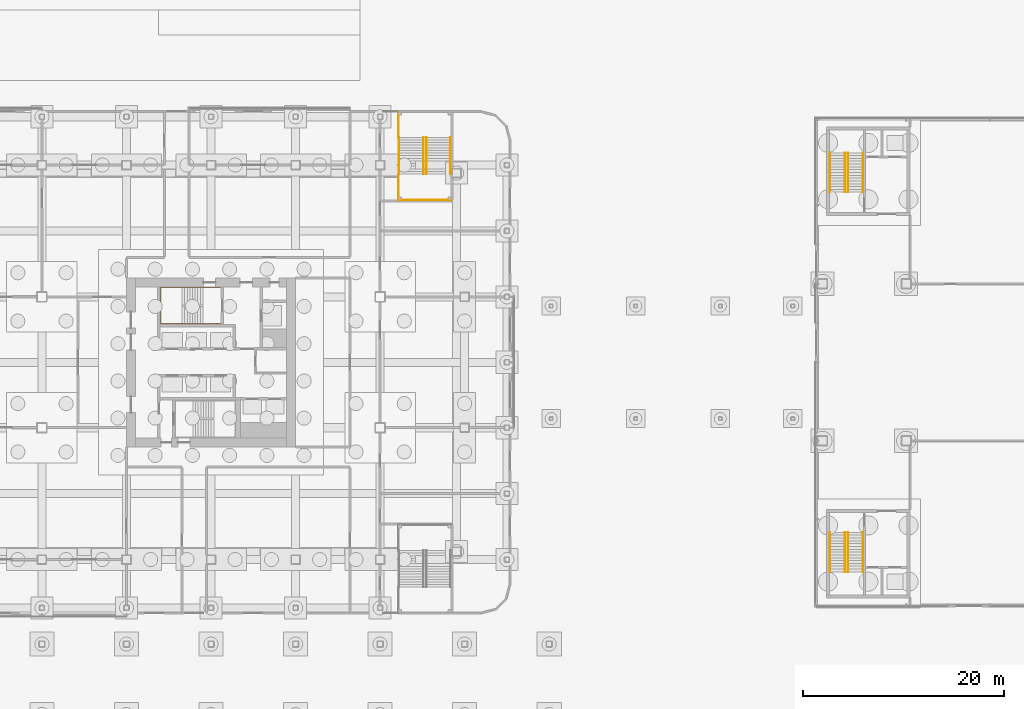
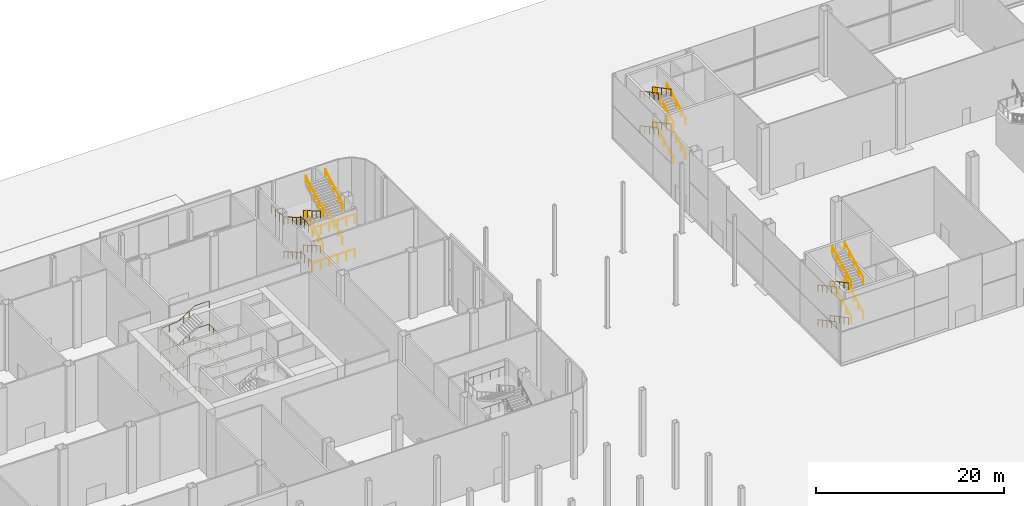
# One storey, part 111 of 113: 30 railings.
"""IFC4 building model written with IfcOpenShell, lengths in metres."""

import ifcopenshell
import ifcopenshell.guid

model = None  # the IFC model being written
_history = None  # IfcOwnerHistory: only IFC2X3 demands one
_inside = {}  # id of a spatial element -> (the spatial element, [elements in it])
_under = {}  # id of a project, library or spatial element -> (it, [spatial elements below it])
_declared = {}  # id of a project -> (the project, [libraries it declares])
_typed = {}  # id of a type object -> (the type object, [elements of that type])
_made_of = {}  # id of a material, layer set ... -> (it, [elements and type objects made of it])


def new_model(schema):
    """Start an empty IFC model of exactly this schema.

    Asked for "IFC4X3", IfcOpenShell would pick the latest addendum, in which some entities
    have other attributes; the version numbers below select the first issue.
    IFC2X3 requires an IfcOwnerHistory on every rooted entity: one is made here for all.
    """
    global model, _history
    if schema == "IFC4X3":
        model = ifcopenshell.file(schema_version=(4, 3, 0, 0))
    else:
        model = ifcopenshell.file(schema=schema)
    _inside.clear()
    _under.clear()
    _declared.clear()
    _typed.clear()
    _made_of.clear()
    _history = None
    if model.schema == "IFC2X3":
        org = make("IfcOrganization", Name="unknown")
        user = make(
            "IfcPersonAndOrganization",
            ThePerson=make("IfcPerson", FamilyName="unknown"),
            TheOrganization=org,
        )
        app = make(
            "IfcApplication",
            ApplicationDeveloper=org,
            Version="unknown",
            ApplicationFullName="unknown",
            ApplicationIdentifier="unknown",
        )
        _history = make(
            "IfcOwnerHistory",
            OwningUser=user,
            OwningApplication=app,
            ChangeAction="ADDED",
            CreationDate=0,
        )
    return model


def make(cls, **values):
    """One entity of the class cls with the attributes given. An attribute that is None is left unset."""
    return model.create_entity(
        cls, **{name: value for name, value in values.items() if value is not None}
    )


def rooted(cls, **values):
    """An entity with a GlobalId (a new one), such as an element, a storey or a relation."""
    return make(cls, GlobalId=ifcopenshell.guid.new(), OwnerHistory=_history, **values)


def si_unit(unit_type, name, prefix=None):
    """IfcSIUnit, for example si_unit("LENGTHUNIT", "METRE", prefix="MILLI")."""
    return make("IfcSIUnit", UnitType=unit_type, Prefix=prefix, Name=name)


def assignment(units):
    """IfcUnitAssignment: the units of a project."""
    return None if units is None else make("IfcUnitAssignment", Units=units)


def point(xyz):
    """IfcCartesianPoint."""
    return None if xyz is None else make("IfcCartesianPoint", Coordinates=xyz)


def direction(xyz):
    """IfcDirection."""
    return None if xyz is None else make("IfcDirection", DirectionRatios=xyz)


def frame(location, z_axis=None, x_axis=None):
    """IfcAxis2Placement3D, a coordinate frame: its origin and axes. An axis left out is left unset."""
    return make(
        "IfcAxis2Placement3D",
        Location=point(location),
        Axis=direction(z_axis),
        RefDirection=direction(x_axis),
    )


def frame_2d(location, x_axis=None):
    """IfcAxis2Placement2D, a coordinate frame in the plane: its origin and x axis."""
    return make(
        "IfcAxis2Placement2D", Location=point(location), RefDirection=direction(x_axis)
    )


def origin():
    """The frame at (0, 0, 0) with its axes left unset."""
    return frame((0.0, 0.0, 0.0))


def origin_2d():
    """The frame at (0, 0) in the plane with its x axis left unset."""
    return frame_2d((0.0, 0.0))


def place(relative_to, where):
    """IfcLocalPlacement: puts the frame where relative to a parent placement (None: the world)."""
    return make(
        "IfcLocalPlacement", PlacementRelTo=relative_to, RelativePlacement=where
    )


def context(
    kind, dimensions, precision=None, world=None, true_north=None, identifier=None
):
    """IfcGeometricRepresentationContext, for example the 3D "Model" context."""
    return make(
        "IfcGeometricRepresentationContext",
        ContextIdentifier=identifier,
        ContextType=kind,
        CoordinateSpaceDimension=dimensions,
        Precision=precision,
        WorldCoordinateSystem=world,
        TrueNorth=true_north,
    )


def subcontext(parent, identifier, kind, view, scale=None):
    """IfcGeometricRepresentationSubContext, for example "Body" below "Model"."""
    return make(
        "IfcGeometricRepresentationSubContext",
        ContextIdentifier=identifier,
        ContextType=kind,
        ParentContext=parent,
        TargetScale=scale,
        TargetView=view,
    )


def project(units=None, contexts=None):
    """IfcProject with its units and contexts."""
    return rooted(
        "IfcProject",
        Name="project",
        RepresentationContexts=contexts,
        UnitsInContext=assignment(units),
    )


def spatial(cls, under=None, at=None, **own):
    """A site, building, storey or space (cls), placed at a placement, below another one or the project."""
    s = rooted(cls, ObjectPlacement=at, **own)
    if under is not None:
        _under.setdefault(under.id(), (under, []))[1].append(s)
    return s


def profile(cls, at=None, kind="AREA", **sizes):
    """A parametric profile (cls). Its sizes go by their IFC names, for example OverallWidth=200.0."""
    return make(cls, ProfileType=kind, Position=at, **sizes)


def circle(**sizes):
    """IfcCircleProfileDef."""
    return profile("IfcCircleProfileDef", **sizes)


def extrude(swept, where, along, depth):
    """IfcExtrudedAreaSolid: the profile swept, set in the frame where, extruded along a direction by depth."""
    return make(
        "IfcExtrudedAreaSolid",
        SweptArea=swept,
        Position=where,
        ExtrudedDirection=direction(along),
        Depth=depth,
    )


def shape(context_of_items, identifier, shape_type, items):
    """IfcShapeRepresentation: the items that make up one representation, for example the "Body"."""
    return make(
        "IfcShapeRepresentation",
        ContextOfItems=context_of_items,
        RepresentationIdentifier=identifier,
        RepresentationType=shape_type,
        Items=items,
    )


def material(Name=None, Category=None):
    """IfcMaterial."""
    return make("IfcMaterial", Name=Name, Category=Category)


def made_of(thing, what):
    """Note that an element or type object is made of a material, layer set ...; save() writes the relation."""
    if what is not None:
        _made_of.setdefault(what.id(), (what, []))[1].append(thing)
    return thing


def type_object(cls, material=None, **own):
    """A type object (cls), such as IfcWallType, which elements share."""
    return made_of(rooted(cls, **own), material)


def element(
    cls,
    number,
    at=None,
    inside=None,
    cuts=None,
    type_object=None,
    material=None,
    context=None,
    identifier="Body",
    shape_type=None,
    held_by="IfcProductDefinitionShape",
    body=None,
    shapes=None,
    **own,
):
    """One element of the class cls, such as IfcWall. Its Tag is "e" and its number.

    at: its placement. inside: the storey or other place that contains it. cuts: it is an
    opening in that element (IfcRelVoidsElement). A single representation is given by context,
    identifier, shape_type and body (its items); several are given by shapes. held_by: the class
    of the entity that holds the representations. save() writes the other relations.
    """
    e = rooted(cls, Tag="e%d" % number, ObjectPlacement=at, **own)
    if body is not None:
        shapes = [shape(context, identifier, shape_type, body)]
    if shapes is not None:
        e.Representation = make(held_by, Representations=shapes)
    if inside is not None:
        _inside.setdefault(inside.id(), (inside, []))[1].append(e)
    if cuts is not None:
        rooted(
            "IfcRelVoidsElement", RelatingBuildingElement=cuts, RelatedOpeningElement=e
        )
    if type_object is not None:
        _typed.setdefault(type_object.id(), (type_object, []))[1].append(e)
    return made_of(e, material)


def aggregate(whole, parts):
    """IfcRelAggregates: a whole, such as a stair, and the parts it consists of."""
    return rooted("IfcRelAggregates", RelatingObject=whole, RelatedObjects=parts)


def save(model, path):
    """Write the relations noted so far, then the file.

    IfcRelAggregates (storeys below a building ...), IfcRelContainedInSpatialStructure (elements
    in a storey), IfcRelDefinesByType, IfcRelAssociatesMaterial and IfcRelDeclares: one each for
    every whole, place, type object, material and project.
    """
    for whole, parts in _under.values():
        aggregate(whole, parts)
    for where, things in _inside.values():
        rooted(
            "IfcRelContainedInSpatialStructure",
            RelatedElements=things,
            RelatingStructure=where,
        )
    for kind, things in _typed.values():
        rooted("IfcRelDefinesByType", RelatedObjects=things, RelatingType=kind)
    for what, things in _made_of.values():
        rooted("IfcRelAssociatesMaterial", RelatedObjects=things, RelatingMaterial=what)
    for by, libraries in _declared.values():
        rooted("IfcRelDeclares", RelatingContext=by, RelatedDefinitions=libraries)
    model.write(path)


model = new_model("IFC4")

# Units and contexts
model_context = context("Model", 3, precision=1e-05, world=origin(), true_north=direction((0.0, 1.0)))
body_context = subcontext(model_context, "Body", "Model", "MODEL_VIEW")
ifc_project = project(units=[si_unit("LENGTHUNIT", "METRE"), si_unit("AREAUNIT", "SQUARE_METRE"), si_unit("VOLUMEUNIT", "CUBIC_METRE"), si_unit("PLANEANGLEUNIT", "RADIAN"), si_unit("MASSUNIT", "GRAM", prefix="KILO")], contexts=[model_context])

# Site, building, storey
site_placement = place(None, origin())
site = spatial("IfcSite", under=ifc_project, at=site_placement, CompositionType="ELEMENT")
building_placement = place(site_placement, origin())
building = spatial("IfcBuilding", under=site, at=building_placement, Name="Hakoniwa Tower and Hamabe Station Hall", CompositionType="ELEMENT")
storey_placement = place(building_placement, origin())
storey = spatial("IfcBuildingStorey", under=building, at=storey_placement, Name="L01", CompositionType="ELEMENT", Elevation=0.0)

# Railings
ifc_material_1 = material(Name="Stainless steel and glass", Category="steel")
railing_type_1 = type_object("IfcRailingType", Name="GUARD 1100", PredefinedType="GUARDRAIL", material=ifc_material_1)
railing_1_placement = place(storey_placement, frame((43.85009765625, 18.7099609375, 2.25)))
element("IfcRailing", 1, at=railing_1_placement, inside=storey, type_object=railing_type_1, Name="Guard at landing PS2 1", PredefinedType="GUARDRAIL", context=body_context, shape_type="SweptSolid", body=[
    extrude(circle(Radius=0.02392578125, at=origin_2d()), frame((0.0, 0.0, 1.076171875), z_axis=(0.0, -1.0, 0.0), x_axis=(1.0, 0.0, 0.0)), (0.0, 0.0, 1.0), 2.56005859375),
    extrude(circle(Radius=0.02099609375, at=origin_2d()), origin(), (0.0, 0.0, 1.0), 1.052001953125),
    extrude(circle(Radius=0.02099609375, at=origin_2d()), frame((0.0, -0.853271484375, 0.0)), (0.0, 0.0, 1.0), 1.052001953125),
    extrude(circle(Radius=0.02099609375, at=origin_2d()), frame((0.0, -1.706787109375, 0.0)), (0.0, 0.0, 1.0), 1.052001953125),
    extrude(circle(Radius=0.02099609375, at=origin_2d()), frame((0.0, -2.56005859375, 0.0)), (0.0, 0.0, 1.0), 1.052001953125),
])
railing_2_placement = place(storey_placement, frame((43.85009765625, 16.14990234375, 2.25)))
element("IfcRailing", 2, at=railing_2_placement, inside=storey, type_object=railing_type_1, Name="Guard at landing PS2 2", PredefinedType="GUARDRAIL", context=body_context, shape_type="SweptSolid", body=[
    extrude(circle(Radius=0.02392578125, at=origin_2d()), frame((0.0, 0.0, 1.076171875), z_axis=(1.0, 0.0, 0.0), x_axis=(0.0, 1.0, 0.0)), (0.0, 0.0, 1.0), 5.199951171875),
    extrude(circle(Radius=0.02099609375, at=origin_2d()), origin(), (0.0, 0.0, 1.0), 1.052001953125),
    extrude(circle(Radius=0.02099609375, at=origin_2d()), frame((1.0400390625, 0.0, 0.0)), (0.0, 0.0, 1.0), 1.052001953125),
    extrude(circle(Radius=0.02099609375, at=origin_2d()), frame((2.080078125, 0.0, 0.0)), (0.0, 0.0, 1.0), 1.052001953125),
    extrude(circle(Radius=0.02099609375, at=origin_2d()), frame((3.119873046875, 0.0, 0.0)), (0.0, 0.0, 1.0), 1.052001953125),
    extrude(circle(Radius=0.02099609375, at=origin_2d()), frame((4.159912109375, 0.0, 0.0)), (0.0, 0.0, 1.0), 1.052001953125),
    extrude(circle(Radius=0.02099609375, at=origin_2d()), frame((5.199951171875, 0.0, 0.0)), (0.0, 0.0, 1.0), 1.052001953125),
])
railing_3_placement = place(storey_placement, frame((43.85009765625, 24.85009765625, 4.5)))
element("IfcRailing", 3, at=railing_3_placement, inside=storey, type_object=railing_type_1, Name="Guard at landing PS2 3", PredefinedType="GUARDRAIL", context=body_context, shape_type="SweptSolid", body=[
    extrude(circle(Radius=0.02392578125, at=origin_2d()), frame((0.0, 0.0, 1.076171875), z_axis=(0.0, -1.0, 0.0), x_axis=(1.0, 0.0, 0.0)), (0.0, 0.0, 1.0), 2.5),
    extrude(circle(Radius=0.02099609375, at=origin_2d()), origin(), (0.0, 0.0, 1.0), 1.052001953125),
    extrude(circle(Radius=0.02099609375, at=origin_2d()), frame((0.0, -0.833251953125, 0.0)), (0.0, 0.0, 1.0), 1.052001953125),
    extrude(circle(Radius=0.02099609375, at=origin_2d()), frame((0.0, -1.666748046875, 0.0)), (0.0, 0.0, 1.0), 1.052001953125),
    extrude(circle(Radius=0.02099609375, at=origin_2d()), frame((0.0, -2.5, 0.0)), (0.0, 0.0, 1.0), 1.052001953125),
])
railing_4_placement = place(storey_placement, frame((43.85009765625, 18.7099609375, 6.75)))
element("IfcRailing", 4, at=railing_4_placement, inside=storey, type_object=railing_type_1, Name="Guard at landing PS2 4", PredefinedType="GUARDRAIL", context=body_context, shape_type="SweptSolid", body=[
    extrude(circle(Radius=0.02392578125, at=origin_2d()), frame((0.0, 0.0, 1.076171875), z_axis=(0.0, -1.0, 0.0), x_axis=(1.0, 0.0, 0.0)), (0.0, 0.0, 1.0), 2.56005859375),
    extrude(circle(Radius=0.02099609375, at=origin_2d()), origin(), (0.0, 0.0, 1.0), 1.052001953125),
    extrude(circle(Radius=0.02099609375, at=origin_2d()), frame((0.0, -0.853271484375, 0.0)), (0.0, 0.0, 1.0), 1.052001953125),
    extrude(circle(Radius=0.02099609375, at=origin_2d()), frame((0.0, -1.706787109375, 0.0)), (0.0, 0.0, 1.0), 1.052001953125),
    extrude(circle(Radius=0.02099609375, at=origin_2d()), frame((0.0, -2.56005859375, 0.0)), (0.0, 0.0, 1.0), 1.052001953125),
])
railing_5_placement = place(storey_placement, frame((43.85009765625, 16.14990234375, 6.75)))
element("IfcRailing", 5, at=railing_5_placement, inside=storey, type_object=railing_type_1, Name="Guard at landing PS2 5", PredefinedType="GUARDRAIL", context=body_context, shape_type="SweptSolid", body=[
    extrude(circle(Radius=0.02392578125, at=origin_2d()), frame((0.0, 0.0, 1.076171875), z_axis=(1.0, 0.0, 0.0), x_axis=(0.0, 1.0, 0.0)), (0.0, 0.0, 1.0), 5.199951171875),
    extrude(circle(Radius=0.02099609375, at=origin_2d()), origin(), (0.0, 0.0, 1.0), 1.052001953125),
    extrude(circle(Radius=0.02099609375, at=origin_2d()), frame((1.0400390625, 0.0, 0.0)), (0.0, 0.0, 1.0), 1.052001953125),
    extrude(circle(Radius=0.02099609375, at=origin_2d()), frame((2.080078125, 0.0, 0.0)), (0.0, 0.0, 1.0), 1.052001953125),
    extrude(circle(Radius=0.02099609375, at=origin_2d()), frame((3.119873046875, 0.0, 0.0)), (0.0, 0.0, 1.0), 1.052001953125),
    extrude(circle(Radius=0.02099609375, at=origin_2d()), frame((4.159912109375, 0.0, 0.0)), (0.0, 0.0, 1.0), 1.052001953125),
    extrude(circle(Radius=0.02099609375, at=origin_2d()), frame((5.199951171875, 0.0, 0.0)), (0.0, 0.0, 1.0), 1.052001953125),
])
ifc_material_2 = material(Name="Stainless steel SUS304", Category="steel")
railing_type_2 = type_object("IfcRailingType", Name="HANDRAIL 900", PredefinedType="HANDRAIL", material=ifc_material_2)
for number, where, name in (
    (6, (43.89990234375, 22.35009765625, 0.14990234375), "Handrail PS2 1"),
    (7, (46.300048828125, 22.35009765625, 0.14990234375), "Handrail PS2 2"),
):
    element("IfcRailing", number, at=place(storey_placement, frame(where)), inside=storey, type_object=railing_type_2, Name=name, PredefinedType="HANDRAIL", context=body_context, shape_type="SweptSolid", body=[
        extrude(circle(Radius=0.02392578125, at=origin_2d()), frame((0.0, 0.0, 0.8759765625), z_axis=(0.0, -0.86618365172, 0.499725806311), x_axis=(1.0, 0.0, 0.0)), (0.0, 0.0, 1.0), 4.202392578125),
        extrude(circle(Radius=0.02099609375, at=origin_2d()), origin(), (0.0, 0.0, 1.0), 0.851806640625),
        extrude(circle(Radius=0.02099609375, at=origin_2d()), frame((0.0, -0.91015625, 0.52490234375)), (0.0, 0.0, 1.0), 0.851806640625),
        extrude(circle(Radius=0.02099609375, at=origin_2d()), frame((0.0, -1.820068359375, 1.050048828125)), (0.0, 0.0, 1.0), 0.851806640625),
        extrude(circle(Radius=0.02099609375, at=origin_2d()), frame((0.0, -2.72998046875, 1.5751953125)), (0.0, 0.0, 1.0), 0.851806640625),
        extrude(circle(Radius=0.02099609375, at=origin_2d()), frame((0.0, -3.64013671875, 2.10009765625)), (0.0, 0.0, 1.0), 0.851806640625),
    ])
for number, where, name in (
    (8, (46.60009765625, 18.7099609375, 2.39990234375), "Handrail PS2 3"),
    (9, (49.0, 18.7099609375, 2.39990234375), "Handrail PS2 4"),
):
    element("IfcRailing", number, at=place(storey_placement, frame(where)), inside=storey, type_object=railing_type_2, Name=name, PredefinedType="HANDRAIL", context=body_context, shape_type="SweptSolid", body=[
        extrude(circle(Radius=0.02392578125, at=origin_2d()), frame((0.0, 0.0, 0.8759765625), z_axis=(0.0, 0.86618365172, 0.499725806311), x_axis=(-1.0, 0.0, 0.0)), (0.0, 0.0, 1.0), 4.202392578125),
        extrude(circle(Radius=0.02099609375, at=origin_2d()), origin(), (0.0, 0.0, 1.0), 0.851806640625),
        extrude(circle(Radius=0.02099609375, at=origin_2d()), frame((0.0, 0.91015625, 0.52490234375)), (0.0, 0.0, 1.0), 0.851806640625),
        extrude(circle(Radius=0.02099609375, at=origin_2d()), frame((0.0, 1.820068359375, 1.050048828125)), (0.0, 0.0, 1.0), 0.851806640625),
        extrude(circle(Radius=0.02099609375, at=origin_2d()), frame((0.0, 2.72998046875, 1.5751953125)), (0.0, 0.0, 1.0), 0.851806640625),
        extrude(circle(Radius=0.02099609375, at=origin_2d()), frame((0.0, 3.64013671875, 2.10009765625)), (0.0, 0.0, 1.0), 0.851806640625),
    ])
for number, where, name in (
    (10, (43.89990234375, 22.35009765625, 4.64990234375), "Handrail PS2 5"),
    (11, (46.300048828125, 22.35009765625, 4.64990234375), "Handrail PS2 6"),
):
    element("IfcRailing", number, at=place(storey_placement, frame(where)), inside=storey, type_object=railing_type_2, Name=name, PredefinedType="HANDRAIL", context=body_context, shape_type="SweptSolid", body=[
        extrude(circle(Radius=0.02392578125, at=origin_2d()), frame((0.0, 0.0, 0.8759765625), z_axis=(0.0, -0.86618365172, 0.499725806311), x_axis=(1.0, 0.0, 0.0)), (0.0, 0.0, 1.0), 4.202392578125),
        extrude(circle(Radius=0.02099609375, at=origin_2d()), origin(), (0.0, 0.0, 1.0), 0.851806640625),
        extrude(circle(Radius=0.02099609375, at=origin_2d()), frame((0.0, -0.91015625, 0.52490234375)), (0.0, 0.0, 1.0), 0.851806640625),
        extrude(circle(Radius=0.02099609375, at=origin_2d()), frame((0.0, -1.820068359375, 1.050048828125)), (0.0, 0.0, 1.0), 0.851806640625),
        extrude(circle(Radius=0.02099609375, at=origin_2d()), frame((0.0, -2.72998046875, 1.5751953125)), (0.0, 0.0, 1.0), 0.851806640625),
        extrude(circle(Radius=0.02099609375, at=origin_2d()), frame((0.0, -3.64013671875, 2.10009765625)), (0.0, 0.0, 1.0), 0.851806640625),
    ])
for number, where, name in (
    (12, (46.60009765625, 18.7099609375, 6.89990234375), "Handrail PS2 7"),
    (13, (49.0, 18.7099609375, 6.89990234375), "Handrail PS2 8"),
):
    element("IfcRailing", number, at=place(storey_placement, frame(where)), inside=storey, type_object=railing_type_2, Name=name, PredefinedType="HANDRAIL", context=body_context, shape_type="SweptSolid", body=[
        extrude(circle(Radius=0.02392578125, at=origin_2d()), frame((0.0, 0.0, 0.8759765625), z_axis=(0.0, 0.86618365172, 0.499725806311), x_axis=(-1.0, 0.0, 0.0)), (0.0, 0.0, 1.0), 4.202392578125),
        extrude(circle(Radius=0.02099609375, at=origin_2d()), origin(), (0.0, 0.0, 1.0), 0.851806640625),
        extrude(circle(Radius=0.02099609375, at=origin_2d()), frame((0.0, 0.91015625, 0.52490234375)), (0.0, 0.0, 1.0), 0.851806640625),
        extrude(circle(Radius=0.02099609375, at=origin_2d()), frame((0.0, 1.820068359375, 1.050048828125)), (0.0, 0.0, 1.0), 0.851806640625),
        extrude(circle(Radius=0.02099609375, at=origin_2d()), frame((0.0, 2.72998046875, 1.5751953125)), (0.0, 0.0, 1.0), 0.851806640625),
        extrude(circle(Radius=0.02099609375, at=origin_2d()), frame((0.0, 3.64013671875, 2.10009765625)), (0.0, 0.0, 1.0), 0.851806640625),
    ])
for number, where, name in (
    (14, (90.0, 16.89990234375, 0.14990234375), "Handrail SS1 1"),
    (15, (88.5, 16.89990234375, 0.14990234375), "Handrail SS1 2"),
):
    element("IfcRailing", number, at=place(storey_placement, frame(where)), inside=storey, type_object=railing_type_2, Name=name, PredefinedType="HANDRAIL", context=body_context, shape_type="SweptSolid", body=[
        extrude(circle(Radius=0.02392578125, at=origin_2d()), frame((0.0, 0.0, 0.8759765625), z_axis=(0.0, 0.881479153919, 0.472222935917), x_axis=(-1.0, 0.0, 0.0)), (0.0, 0.0, 1.0), 4.447265625),
        extrude(circle(Radius=0.02099609375, at=origin_2d()), origin(), (0.0, 0.0, 1.0), 0.851806640625),
        extrude(circle(Radius=0.02099609375, at=origin_2d()), frame((0.0, 0.97998046875, 0.52490234375)), (0.0, 0.0, 1.0), 0.851806640625),
        extrude(circle(Radius=0.02099609375, at=origin_2d()), frame((0.0, 1.9599609375, 1.050048828125)), (0.0, 0.0, 1.0), 0.851806640625),
        extrude(circle(Radius=0.02099609375, at=origin_2d()), frame((0.0, 2.940185546875, 1.5751953125)), (0.0, 0.0, 1.0), 0.851806640625),
        extrude(circle(Radius=0.02099609375, at=origin_2d()), frame((0.0, 3.920166015625, 2.10009765625)), (0.0, 0.0, 1.0), 0.851806640625),
    ])
for number, where, name in (
    (16, (88.199951171875, 20.820068359375, 2.39990234375), "Handrail SS1 3"),
    (17, (86.699951171875, 20.820068359375, 2.39990234375), "Handrail SS1 4"),
):
    element("IfcRailing", number, at=place(storey_placement, frame(where)), inside=storey, type_object=railing_type_2, Name=name, PredefinedType="HANDRAIL", context=body_context, shape_type="SweptSolid", body=[
        extrude(circle(Radius=0.02392578125, at=origin_2d()), frame((0.0, 0.0, 0.8759765625), z_axis=(0.0, -0.881479153919, 0.472222935917), x_axis=(1.0, 0.0, 0.0)), (0.0, 0.0, 1.0), 4.447265625),
        extrude(circle(Radius=0.02099609375, at=origin_2d()), origin(), (0.0, 0.0, 1.0), 0.851806640625),
        extrude(circle(Radius=0.02099609375, at=origin_2d()), frame((0.0, -0.97998046875, 0.52490234375)), (0.0, 0.0, 1.0), 0.851806640625),
        extrude(circle(Radius=0.02099609375, at=origin_2d()), frame((0.0, -1.9599609375, 1.050048828125)), (0.0, 0.0, 1.0), 0.851806640625),
        extrude(circle(Radius=0.02099609375, at=origin_2d()), frame((0.0, -2.940185546875, 1.5751953125)), (0.0, 0.0, 1.0), 0.851806640625),
        extrude(circle(Radius=0.02099609375, at=origin_2d()), frame((0.0, -3.920166015625, 2.10009765625)), (0.0, 0.0, 1.0), 0.851806640625),
    ])
for number, where, name in (
    (18, (90.0, 16.89990234375, 4.64990234375), "Handrail SS1 5"),
    (19, (88.5, 16.89990234375, 4.64990234375), "Handrail SS1 6"),
):
    element("IfcRailing", number, at=place(storey_placement, frame(where)), inside=storey, type_object=railing_type_2, Name=name, PredefinedType="HANDRAIL", context=body_context, shape_type="SweptSolid", body=[
        extrude(circle(Radius=0.02392578125, at=origin_2d()), frame((0.0, 0.0, 0.8759765625), z_axis=(0.0, 0.881479153919, 0.472222935917), x_axis=(-1.0, 0.0, 0.0)), (0.0, 0.0, 1.0), 4.447265625),
        extrude(circle(Radius=0.02099609375, at=origin_2d()), origin(), (0.0, 0.0, 1.0), 0.851806640625),
        extrude(circle(Radius=0.02099609375, at=origin_2d()), frame((0.0, 0.97998046875, 0.52490234375)), (0.0, 0.0, 1.0), 0.851806640625),
        extrude(circle(Radius=0.02099609375, at=origin_2d()), frame((0.0, 1.9599609375, 1.050048828125)), (0.0, 0.0, 1.0), 0.851806640625),
        extrude(circle(Radius=0.02099609375, at=origin_2d()), frame((0.0, 2.940185546875, 1.5751953125)), (0.0, 0.0, 1.0), 0.851806640625),
        extrude(circle(Radius=0.02099609375, at=origin_2d()), frame((0.0, 3.920166015625, 2.10009765625)), (0.0, 0.0, 1.0), 0.851806640625),
    ])
for number, where, name in (
    (20, (88.199951171875, 20.820068359375, 6.89990234375), "Handrail SS1 7"),
    (21, (86.699951171875, 20.820068359375, 6.89990234375), "Handrail SS1 8"),
    (22, (86.699951171875, -16.89990234375, 0.14990234375), "Handrail SS3 1"),
    (23, (88.199951171875, -16.89990234375, 0.14990234375), "Handrail SS3 2"),
):
    element("IfcRailing", number, at=place(storey_placement, frame(where)), inside=storey, type_object=railing_type_2, Name=name, PredefinedType="HANDRAIL", context=body_context, shape_type="SweptSolid", body=[
        extrude(circle(Radius=0.02392578125, at=origin_2d()), frame((0.0, 0.0, 0.8759765625), z_axis=(0.0, -0.881479153919, 0.472222935917), x_axis=(1.0, 0.0, 0.0)), (0.0, 0.0, 1.0), 4.447265625),
        extrude(circle(Radius=0.02099609375, at=origin_2d()), origin(), (0.0, 0.0, 1.0), 0.851806640625),
        extrude(circle(Radius=0.02099609375, at=origin_2d()), frame((0.0, -0.97998046875, 0.52490234375)), (0.0, 0.0, 1.0), 0.851806640625),
        extrude(circle(Radius=0.02099609375, at=origin_2d()), frame((0.0, -1.9599609375, 1.050048828125)), (0.0, 0.0, 1.0), 0.851806640625),
        extrude(circle(Radius=0.02099609375, at=origin_2d()), frame((0.0, -2.940185546875, 1.5751953125)), (0.0, 0.0, 1.0), 0.851806640625),
        extrude(circle(Radius=0.02099609375, at=origin_2d()), frame((0.0, -3.920166015625, 2.10009765625)), (0.0, 0.0, 1.0), 0.851806640625),
    ])
for number, where, name in (
    (24, (88.5, -20.820068359375, 2.39990234375), "Handrail SS3 3"),
    (25, (90.0, -20.820068359375, 2.39990234375), "Handrail SS3 4"),
):
    element("IfcRailing", number, at=place(storey_placement, frame(where)), inside=storey, type_object=railing_type_2, Name=name, PredefinedType="HANDRAIL", context=body_context, shape_type="SweptSolid", body=[
        extrude(circle(Radius=0.02392578125, at=origin_2d()), frame((0.0, 0.0, 0.8759765625), z_axis=(0.0, 0.881479153919, 0.472222935917), x_axis=(-1.0, 0.0, 0.0)), (0.0, 0.0, 1.0), 4.447265625),
        extrude(circle(Radius=0.02099609375, at=origin_2d()), origin(), (0.0, 0.0, 1.0), 0.851806640625),
        extrude(circle(Radius=0.02099609375, at=origin_2d()), frame((0.0, 0.97998046875, 0.52490234375)), (0.0, 0.0, 1.0), 0.851806640625),
        extrude(circle(Radius=0.02099609375, at=origin_2d()), frame((0.0, 1.9599609375, 1.050048828125)), (0.0, 0.0, 1.0), 0.851806640625),
        extrude(circle(Radius=0.02099609375, at=origin_2d()), frame((0.0, 2.940185546875, 1.5751953125)), (0.0, 0.0, 1.0), 0.851806640625),
        extrude(circle(Radius=0.02099609375, at=origin_2d()), frame((0.0, 3.920166015625, 2.10009765625)), (0.0, 0.0, 1.0), 0.851806640625),
    ])
for number, where, name in (
    (26, (86.699951171875, -16.89990234375, 4.64990234375), "Handrail SS3 5"),
    (27, (88.199951171875, -16.89990234375, 4.64990234375), "Handrail SS3 6"),
):
    element("IfcRailing", number, at=place(storey_placement, frame(where)), inside=storey, type_object=railing_type_2, Name=name, PredefinedType="HANDRAIL", context=body_context, shape_type="SweptSolid", body=[
        extrude(circle(Radius=0.02392578125, at=origin_2d()), frame((0.0, 0.0, 0.8759765625), z_axis=(0.0, -0.881479153919, 0.472222935917), x_axis=(1.0, 0.0, 0.0)), (0.0, 0.0, 1.0), 4.447265625),
        extrude(circle(Radius=0.02099609375, at=origin_2d()), origin(), (0.0, 0.0, 1.0), 0.851806640625),
        extrude(circle(Radius=0.02099609375, at=origin_2d()), frame((0.0, -0.97998046875, 0.52490234375)), (0.0, 0.0, 1.0), 0.851806640625),
        extrude(circle(Radius=0.02099609375, at=origin_2d()), frame((0.0, -1.9599609375, 1.050048828125)), (0.0, 0.0, 1.0), 0.851806640625),
        extrude(circle(Radius=0.02099609375, at=origin_2d()), frame((0.0, -2.940185546875, 1.5751953125)), (0.0, 0.0, 1.0), 0.851806640625),
        extrude(circle(Radius=0.02099609375, at=origin_2d()), frame((0.0, -3.920166015625, 2.10009765625)), (0.0, 0.0, 1.0), 0.851806640625),
    ])
for number, where, name in (
    (28, (88.5, -20.820068359375, 6.89990234375), "Handrail SS3 7"),
    (29, (90.0, -20.820068359375, 6.89990234375), "Handrail SS3 8"),
):
    element("IfcRailing", number, at=place(storey_placement, frame(where)), inside=storey, type_object=railing_type_2, Name=name, PredefinedType="HANDRAIL", context=body_context, shape_type="SweptSolid", body=[
        extrude(circle(Radius=0.02392578125, at=origin_2d()), frame((0.0, 0.0, 0.8759765625), z_axis=(0.0, 0.881479153919, 0.472222935917), x_axis=(-1.0, 0.0, 0.0)), (0.0, 0.0, 1.0), 4.447265625),
        extrude(circle(Radius=0.02099609375, at=origin_2d()), origin(), (0.0, 0.0, 1.0), 0.851806640625),
        extrude(circle(Radius=0.02099609375, at=origin_2d()), frame((0.0, 0.97998046875, 0.52490234375)), (0.0, 0.0, 1.0), 0.851806640625),
        extrude(circle(Radius=0.02099609375, at=origin_2d()), frame((0.0, 1.9599609375, 1.050048828125)), (0.0, 0.0, 1.0), 0.851806640625),
        extrude(circle(Radius=0.02099609375, at=origin_2d()), frame((0.0, 2.940185546875, 1.5751953125)), (0.0, 0.0, 1.0), 0.851806640625),
        extrude(circle(Radius=0.02099609375, at=origin_2d()), frame((0.0, 3.920166015625, 2.10009765625)), (0.0, 0.0, 1.0), 0.851806640625),
    ])
ifc_material_3 = material(Name="Stainless steel SUS304", Category="steel")
railing_type_3 = type_object("IfcRailingType", Name="STAIR HANDRAIL 900", PredefinedType="HANDRAIL", material=ifc_material_3)
railing_6_placement = place(storey_placement, frame((24.39990234375, 3.81005859375, 0.166748046875)))
element("IfcRailing", 30, at=railing_6_placement, inside=storey, type_object=railing_type_3, Name="Handrail ST-3 L01 1", PredefinedType="HANDRAIL", context=body_context, shape_type="SweptSolid", body=[
    extrude(circle(Radius=0.02392578125, at=origin_2d()), frame((0.0, 0.0, 0.8759765625), z_axis=(-0.84187453394, 0.0, 0.539673298491), x_axis=(0.0, -1.0, 0.0)), (0.0, 0.0, 1.0), 2.470458984375),
    extrude(circle(Radius=0.02392578125, at=origin_2d()), frame((-2.079833984375, 0.0, 2.208984375), z_axis=(-1.0, 0.0, 0.0), x_axis=(0.0, -1.0, 0.0)), (0.0, 0.0, 1.0), 2.110107421875),
    extrude(circle(Radius=0.02392578125, at=origin_2d()), frame((-4.18994140625, 0.0, 2.208984375), z_axis=(0.0, 1.0, 0.0), x_axis=(-1.0, 0.0, 0.0)), (0.0, 0.0, 1.0), 3.6298828125),
    extrude(circle(Radius=0.02392578125, at=origin_2d()), frame((-4.18994140625, 3.6298828125, 2.208984375), z_axis=(0.996892192206, 0.0, 0.078777897406), x_axis=(0.0, 1.0, 0.0)), (0.0, 0.0, 1.0), 2.11669921875),
    extrude(circle(Radius=0.02392578125, at=origin_2d()), frame((-2.079833984375, 3.6298828125, 2.3759765625), z_axis=(0.84187453394, 0.0, 0.539673298491), x_axis=(0.0, 1.0, 0.0)), (0.0, 0.0, 1.0), 2.470458984375),
    extrude(circle(Radius=0.02392578125, at=origin_2d()), frame((0.0, 3.6298828125, 3.708984375), z_axis=(1.0, 0.0, 0.0), x_axis=(0.0, 1.0, 0.0)), (0.0, 0.0, 1.0), 1.739990234375),
    extrude(circle(Radius=0.02392578125, at=origin_2d()), frame((1.739990234375, 3.6298828125, 3.708984375), z_axis=(0.0, -1.0, 0.0), x_axis=(1.0, 0.0, 0.0)), (0.0, 0.0, 1.0), 3.6298828125),
    extrude(circle(Radius=0.02392578125, at=origin_2d()), frame((1.739990234375, 0.0, 3.708984375), z_axis=(-0.995439431117, 0.0, 0.09539569685), x_axis=(0.0, -1.0, 0.0)), (0.0, 0.0, 1.0), 1.748046875),
    extrude(circle(Radius=0.02392578125, at=origin_2d()), frame((0.0, 0.0, 3.8759765625), z_axis=(-0.84187453394, 0.0, 0.539673298491), x_axis=(0.0, -1.0, 0.0)), (0.0, 0.0, 1.0), 2.470458984375),
    extrude(circle(Radius=0.02392578125, at=origin_2d()), frame((-2.079833984375, 0.0, 5.208984375), z_axis=(-1.0, 0.0, 0.0), x_axis=(0.0, -1.0, 0.0)), (0.0, 0.0, 1.0), 2.110107421875),
    extrude(circle(Radius=0.02392578125, at=origin_2d()), frame((-4.18994140625, 0.0, 5.208984375), z_axis=(0.0, 1.0, 0.0), x_axis=(-1.0, 0.0, 0.0)), (0.0, 0.0, 1.0), 3.6298828125),
    extrude(circle(Radius=0.02392578125, at=origin_2d()), frame((-4.18994140625, 3.6298828125, 5.208984375), z_axis=(0.996892192206, 0.0, 0.078777897406), x_axis=(0.0, 1.0, 0.0)), (0.0, 0.0, 1.0), 2.11669921875),
    extrude(circle(Radius=0.02392578125, at=origin_2d()), frame((-2.079833984375, 3.6298828125, 5.3759765625), z_axis=(0.84187453394, 0.0, 0.539673298491), x_axis=(0.0, 1.0, 0.0)), (0.0, 0.0, 1.0), 2.470458984375),
    extrude(circle(Radius=0.02392578125, at=origin_2d()), frame((0.0, 3.6298828125, 6.708984375), z_axis=(1.0, 0.0, 0.0), x_axis=(0.0, 1.0, 0.0)), (0.0, 0.0, 1.0), 1.739990234375),
    extrude(circle(Radius=0.02392578125, at=origin_2d()), frame((1.739990234375, 3.6298828125, 6.708984375), z_axis=(0.0, -1.0, 0.0), x_axis=(1.0, 0.0, 0.0)), (0.0, 0.0, 1.0), 3.6298828125),
    extrude(circle(Radius=0.02392578125, at=origin_2d()), frame((1.739990234375, 0.0, 6.708984375), z_axis=(-0.995439431117, 0.0, 0.09539569685), x_axis=(0.0, -1.0, 0.0)), (0.0, 0.0, 1.0), 1.748046875),
    extrude(circle(Radius=0.02392578125, at=origin_2d()), frame((0.0, 0.0, 6.8759765625), z_axis=(-0.84187453394, 0.0, 0.539673298491), x_axis=(0.0, -1.0, 0.0)), (0.0, 0.0, 1.0), 2.470458984375),
    extrude(circle(Radius=0.02392578125, at=origin_2d()), frame((-2.079833984375, 0.0, 8.208984375), z_axis=(-1.0, 0.0, 0.0), x_axis=(0.0, -1.0, 0.0)), (0.0, 0.0, 1.0), 2.110107421875),
    extrude(circle(Radius=0.02392578125, at=origin_2d()), frame((-4.18994140625, 0.0, 8.208984375), z_axis=(0.0, 1.0, 0.0), x_axis=(-1.0, 0.0, 0.0)), (0.0, 0.0, 1.0), 3.6298828125),
    extrude(circle(Radius=0.02392578125, at=origin_2d()), frame((-4.18994140625, 3.6298828125, 8.208984375), z_axis=(0.996892192206, 0.0, 0.078777897406), x_axis=(0.0, 1.0, 0.0)), (0.0, 0.0, 1.0), 2.11669921875),
    extrude(circle(Radius=0.02392578125, at=origin_2d()), frame((-2.079833984375, 3.6298828125, 8.3759765625), z_axis=(0.84187453394, 0.0, 0.539673298491), x_axis=(0.0, 1.0, 0.0)), (0.0, 0.0, 1.0), 2.470458984375),
    extrude(circle(Radius=0.02392578125, at=origin_2d()), frame((0.0, 3.6298828125, 9.708984375), z_axis=(1.0, 0.0, 0.0), x_axis=(0.0, 1.0, 0.0)), (0.0, 0.0, 1.0), 1.739990234375),
    extrude(circle(Radius=0.02099609375, at=origin_2d()), origin(), (0.0, 0.0, 1.0), 0.851806640625),
    extrude(circle(Radius=0.02099609375, at=origin_2d()), frame((-0.693359375, 0.0, 0.4443359375)), (0.0, 0.0, 1.0), 0.851806640625),
    extrude(circle(Radius=0.02099609375, at=origin_2d()), frame((-1.386474609375, 0.0, 0.888916015625)), (0.0, 0.0, 1.0), 0.851806640625),
    extrude(circle(Radius=0.02099609375, at=origin_2d()), frame((-2.079833984375, 0.0, 1.333251953125)), (0.0, 0.0, 1.0), 0.851806640625),
    extrude(circle(Radius=0.02099609375, at=origin_2d()), frame((-3.134765625, 0.0, 1.333251953125)), (0.0, 0.0, 1.0), 0.851806640625),
    extrude(circle(Radius=0.02099609375, at=origin_2d()), frame((-4.18994140625, 0.0, 1.333251953125)), (0.0, 0.0, 1.0), 0.851806640625),
    extrude(circle(Radius=0.02099609375, at=origin_2d()), frame((-4.18994140625, 0.907470703125, 1.333251953125)), (0.0, 0.0, 1.0), 0.851806640625),
    extrude(circle(Radius=0.02099609375, at=origin_2d()), frame((-4.18994140625, 1.81494140625, 1.333251953125)), (0.0, 0.0, 1.0), 0.851806640625),
    extrude(circle(Radius=0.02099609375, at=origin_2d()), frame((-4.18994140625, 2.722412109375, 1.333251953125)), (0.0, 0.0, 1.0), 0.851806640625),
    extrude(circle(Radius=0.02099609375, at=origin_2d()), frame((-4.18994140625, 3.6298828125, 1.333251953125)), (0.0, 0.0, 1.0), 0.851806640625),
    extrude(circle(Radius=0.02099609375, at=origin_2d()), frame((-3.134765625, 3.6298828125, 1.41650390625)), (0.0, 0.0, 1.0), 0.851806640625),
    extrude(circle(Radius=0.02099609375, at=origin_2d()), frame((-2.079833984375, 3.6298828125, 1.5)), (0.0, 0.0, 1.0), 0.851806640625),
    extrude(circle(Radius=0.02099609375, at=origin_2d()), frame((-1.386474609375, 3.6298828125, 1.9443359375)), (0.0, 0.0, 1.0), 0.851806640625),
    extrude(circle(Radius=0.02099609375, at=origin_2d()), frame((-0.693359375, 3.6298828125, 2.388916015625)), (0.0, 0.0, 1.0), 0.851806640625),
    extrude(circle(Radius=0.02099609375, at=origin_2d()), frame((0.0, 3.6298828125, 2.833251953125)), (0.0, 0.0, 1.0), 0.851806640625),
    extrude(circle(Radius=0.02099609375, at=origin_2d()), frame((0.8701171875, 3.6298828125, 2.833251953125)), (0.0, 0.0, 1.0), 0.851806640625),
    extrude(circle(Radius=0.02099609375, at=origin_2d()), frame((1.739990234375, 3.6298828125, 2.833251953125)), (0.0, 0.0, 1.0), 0.851806640625),
    extrude(circle(Radius=0.02099609375, at=origin_2d()), frame((1.739990234375, 2.722412109375, 2.833251953125)), (0.0, 0.0, 1.0), 0.851806640625),
    extrude(circle(Radius=0.02099609375, at=origin_2d()), frame((1.739990234375, 1.81494140625, 2.833251953125)), (0.0, 0.0, 1.0), 0.851806640625),
    extrude(circle(Radius=0.02099609375, at=origin_2d()), frame((1.739990234375, 0.907470703125, 2.833251953125)), (0.0, 0.0, 1.0), 0.851806640625),
    extrude(circle(Radius=0.02099609375, at=origin_2d()), frame((1.739990234375, 0.0, 2.833251953125)), (0.0, 0.0, 1.0), 0.851806640625),
    extrude(circle(Radius=0.02099609375, at=origin_2d()), frame((0.8701171875, 0.0, 2.91650390625)), (0.0, 0.0, 1.0), 0.851806640625),
    extrude(circle(Radius=0.02099609375, at=origin_2d()), frame((0.0, 0.0, 3.0)), (0.0, 0.0, 1.0), 0.851806640625),
    extrude(circle(Radius=0.02099609375, at=origin_2d()), frame((-0.693359375, 0.0, 3.4443359375)), (0.0, 0.0, 1.0), 0.851806640625),
    extrude(circle(Radius=0.02099609375, at=origin_2d()), frame((-1.386474609375, 0.0, 3.888916015625)), (0.0, 0.0, 1.0), 0.851806640625),
    extrude(circle(Radius=0.02099609375, at=origin_2d()), frame((-2.079833984375, 0.0, 4.333251953125)), (0.0, 0.0, 1.0), 0.851806640625),
    extrude(circle(Radius=0.02099609375, at=origin_2d()), frame((-3.134765625, 0.0, 4.333251953125)), (0.0, 0.0, 1.0), 0.851806640625),
    extrude(circle(Radius=0.02099609375, at=origin_2d()), frame((-4.18994140625, 0.0, 4.333251953125)), (0.0, 0.0, 1.0), 0.851806640625),
    extrude(circle(Radius=0.02099609375, at=origin_2d()), frame((-4.18994140625, 0.907470703125, 4.333251953125)), (0.0, 0.0, 1.0), 0.851806640625),
    extrude(circle(Radius=0.02099609375, at=origin_2d()), frame((-4.18994140625, 1.81494140625, 4.333251953125)), (0.0, 0.0, 1.0), 0.851806640625),
    extrude(circle(Radius=0.02099609375, at=origin_2d()), frame((-4.18994140625, 2.722412109375, 4.333251953125)), (0.0, 0.0, 1.0), 0.851806640625),
    extrude(circle(Radius=0.02099609375, at=origin_2d()), frame((-4.18994140625, 3.6298828125, 4.333251953125)), (0.0, 0.0, 1.0), 0.851806640625),
    extrude(circle(Radius=0.02099609375, at=origin_2d()), frame((-3.134765625, 3.6298828125, 4.41650390625)), (0.0, 0.0, 1.0), 0.851806640625),
    extrude(circle(Radius=0.02099609375, at=origin_2d()), frame((-2.079833984375, 3.6298828125, 4.5)), (0.0, 0.0, 1.0), 0.851806640625),
    extrude(circle(Radius=0.02099609375, at=origin_2d()), frame((-1.386474609375, 3.6298828125, 4.9443359375)), (0.0, 0.0, 1.0), 0.851806640625),
    extrude(circle(Radius=0.02099609375, at=origin_2d()), frame((-0.693359375, 3.6298828125, 5.388916015625)), (0.0, 0.0, 1.0), 0.851806640625),
    extrude(circle(Radius=0.02099609375, at=origin_2d()), frame((0.0, 3.6298828125, 5.833251953125)), (0.0, 0.0, 1.0), 0.851806640625),
    extrude(circle(Radius=0.02099609375, at=origin_2d()), frame((0.8701171875, 3.6298828125, 5.833251953125)), (0.0, 0.0, 1.0), 0.851806640625),
    extrude(circle(Radius=0.02099609375, at=origin_2d()), frame((1.739990234375, 3.6298828125, 5.833251953125)), (0.0, 0.0, 1.0), 0.851806640625),
    extrude(circle(Radius=0.02099609375, at=origin_2d()), frame((1.739990234375, 2.722412109375, 5.833251953125)), (0.0, 0.0, 1.0), 0.851806640625),
    extrude(circle(Radius=0.02099609375, at=origin_2d()), frame((1.739990234375, 1.81494140625, 5.833251953125)), (0.0, 0.0, 1.0), 0.851806640625),
    extrude(circle(Radius=0.02099609375, at=origin_2d()), frame((1.739990234375, 0.907470703125, 5.833251953125)), (0.0, 0.0, 1.0), 0.851806640625),
    extrude(circle(Radius=0.02099609375, at=origin_2d()), frame((1.739990234375, 0.0, 5.833251953125)), (0.0, 0.0, 1.0), 0.851806640625),
    extrude(circle(Radius=0.02099609375, at=origin_2d()), frame((0.8701171875, 0.0, 5.91650390625)), (0.0, 0.0, 1.0), 0.851806640625),
    extrude(circle(Radius=0.02099609375, at=origin_2d()), frame((0.0, 0.0, 6.0)), (0.0, 0.0, 1.0), 0.851806640625),
    extrude(circle(Radius=0.02099609375, at=origin_2d()), frame((-0.693359375, 0.0, 6.4443359375)), (0.0, 0.0, 1.0), 0.851806640625),
    extrude(circle(Radius=0.02099609375, at=origin_2d()), frame((-1.386474609375, 0.0, 6.888916015625)), (0.0, 0.0, 1.0), 0.851806640625),
    extrude(circle(Radius=0.02099609375, at=origin_2d()), frame((-2.079833984375, 0.0, 7.333251953125)), (0.0, 0.0, 1.0), 0.851806640625),
    extrude(circle(Radius=0.02099609375, at=origin_2d()), frame((-3.134765625, 0.0, 7.333251953125)), (0.0, 0.0, 1.0), 0.851806640625),
    extrude(circle(Radius=0.02099609375, at=origin_2d()), frame((-4.18994140625, 0.0, 7.333251953125)), (0.0, 0.0, 1.0), 0.851806640625),
    extrude(circle(Radius=0.02099609375, at=origin_2d()), frame((-4.18994140625, 0.907470703125, 7.333251953125)), (0.0, 0.0, 1.0), 0.851806640625),
    extrude(circle(Radius=0.02099609375, at=origin_2d()), frame((-4.18994140625, 1.81494140625, 7.333251953125)), (0.0, 0.0, 1.0), 0.851806640625),
    extrude(circle(Radius=0.02099609375, at=origin_2d()), frame((-4.18994140625, 2.722412109375, 7.333251953125)), (0.0, 0.0, 1.0), 0.851806640625),
    extrude(circle(Radius=0.02099609375, at=origin_2d()), frame((-4.18994140625, 3.6298828125, 7.333251953125)), (0.0, 0.0, 1.0), 0.851806640625),
    extrude(circle(Radius=0.02099609375, at=origin_2d()), frame((-3.134765625, 3.6298828125, 7.41650390625)), (0.0, 0.0, 1.0), 0.851806640625),
    extrude(circle(Radius=0.02099609375, at=origin_2d()), frame((-2.079833984375, 3.6298828125, 7.5)), (0.0, 0.0, 1.0), 0.851806640625),
    extrude(circle(Radius=0.02099609375, at=origin_2d()), frame((-1.386474609375, 3.6298828125, 7.9443359375)), (0.0, 0.0, 1.0), 0.851806640625),
    extrude(circle(Radius=0.02099609375, at=origin_2d()), frame((-0.693359375, 3.6298828125, 8.388916015625)), (0.0, 0.0, 1.0), 0.851806640625),
    extrude(circle(Radius=0.02099609375, at=origin_2d()), frame((0.0, 3.6298828125, 8.833251953125)), (0.0, 0.0, 1.0), 0.851806640625),
    extrude(circle(Radius=0.02099609375, at=origin_2d()), frame((0.8701171875, 3.6298828125, 8.833251953125)), (0.0, 0.0, 1.0), 0.851806640625),
    extrude(circle(Radius=0.02099609375, at=origin_2d()), frame((1.739990234375, 3.6298828125, 8.833251953125)), (0.0, 0.0, 1.0), 0.851806640625),
])

save(model, "model.ifc")
